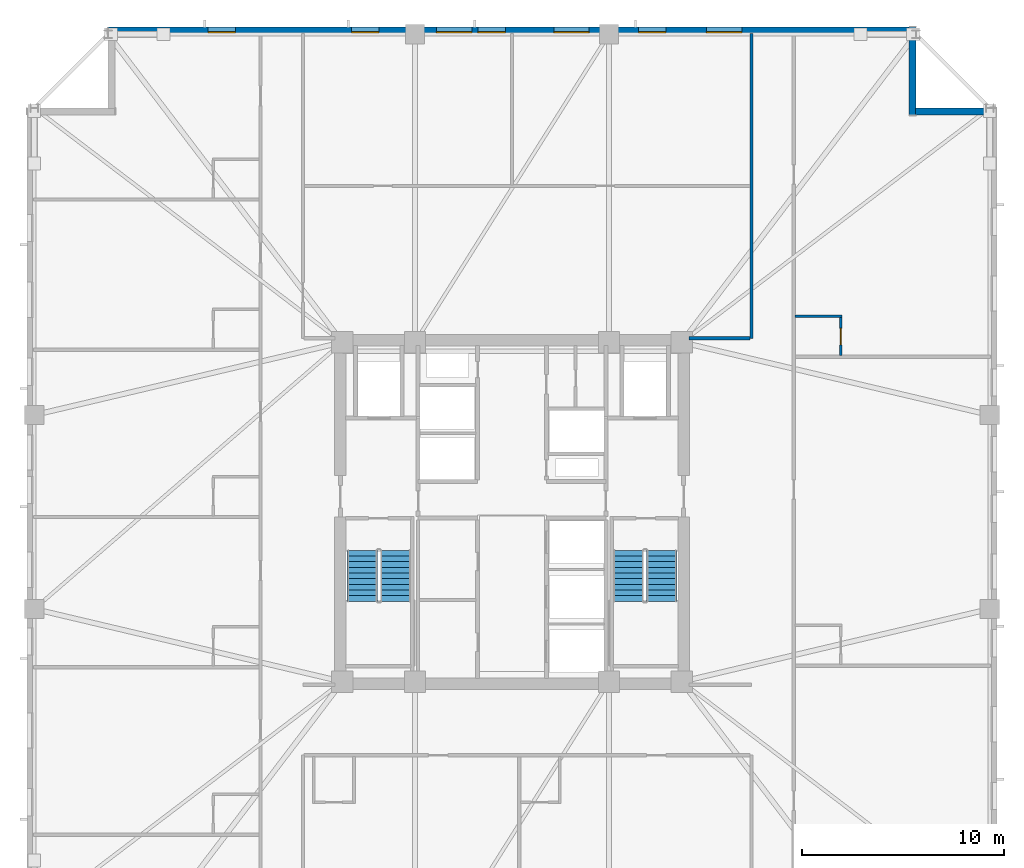
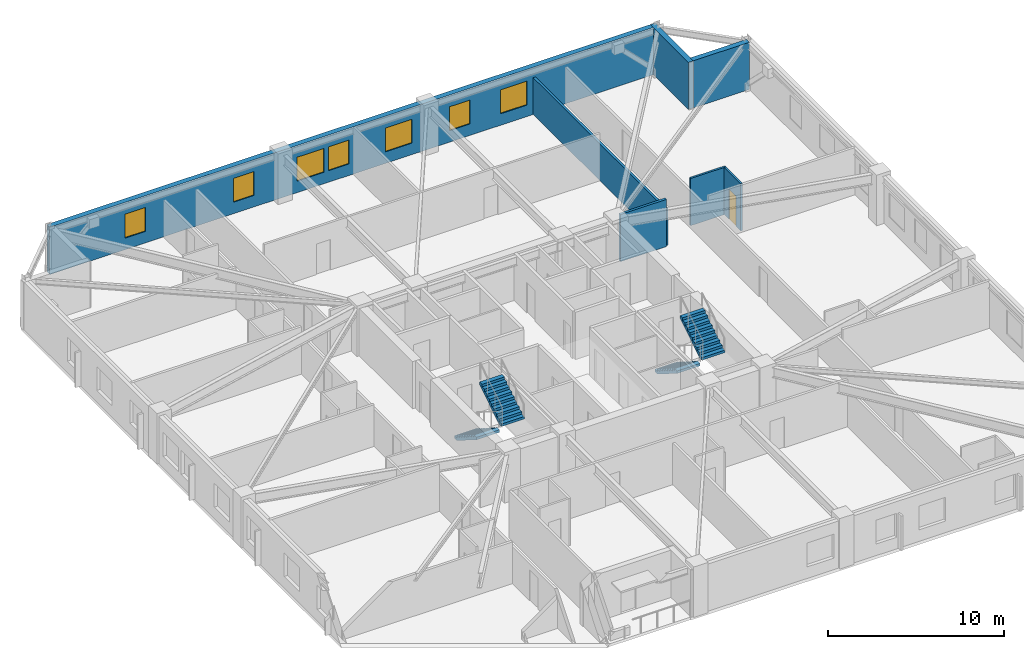
# One storey, part 6 of 11: 7 walls, 7 windows, 4 stair flights, 1 door, 8 openings, 2 elements without a shape of their own.
"""IFC4 building model written with IfcOpenShell, lengths in metres."""

from ifc_helpers import new_model, si_unit, direction, frame, frame_2d, origin, place, context, subcontext, project, spatial, polyline, rectangle, outline, extrude, material, layer, layer_set, type_object, element, fill, aggregate, save


model = new_model("IFC4")

# Units and contexts
model_context = context("Model", 3, precision=1e-05, world=origin(), true_north=direction((0.0, 1.0)))
body_context = subcontext(model_context, "Body", "Model", "MODEL_VIEW")
ifc_project = project(units=[si_unit("LENGTHUNIT", "METRE"), si_unit("AREAUNIT", "SQUARE_METRE"), si_unit("VOLUMEUNIT", "CUBIC_METRE"), si_unit("PLANEANGLEUNIT", "RADIAN"), si_unit("MASSUNIT", "GRAM", prefix="KILO")], contexts=[model_context])

# Site, building, storey
site_placement = place(None, origin())
site = spatial("IfcSite", under=ifc_project, at=site_placement, CompositionType="ELEMENT")
building_placement = place(site_placement, origin())
building = spatial("IfcBuilding", under=site, at=building_placement, Name="Cairnveth Concourse Tower", CompositionType="ELEMENT")
storey_placement = place(building_placement, frame((0.0, 0.0, 148.0)))
storey = spatial("IfcBuildingStorey", under=building, at=storey_placement, Name="L40", CompositionType="ELEMENT", Elevation=148.0)

# Walls
ifc_material_1 = material(Name="Gypsum Plasterboard Partition", Category="gypsum")
ifc_layer_1 = layer(ifc_material_1, 0.159912109375)
ifc_layer_set_1 = layer_set([ifc_layer_1], Name="Gypsum Plasterboard Partition")
wall_type_1 = type_object("IfcWallType", Name="ACOUSTIC PARTY WALL 180", PredefinedType="PARTITIONING", material=ifc_layer_set_1)
wall_1_placement = place(storey_placement, frame((63.85009765625, 47.60009765625, 0.0), z_axis=(0.0, 0.0, 1.0), x_axis=(0.0, 1.0, 0.0)))
element("IfcWall", 1, at=wall_1_placement, inside=storey, type_object=wall_type_1, Name="Interior Wall IW-L40-044", PredefinedType="PARTITIONING", context=body_context, shape_type="SweptSolid", body=[
    extrude(rectangle(XDim=15.074951171875, YDim=0.159912109375, at=frame_2d((7.53759765625, 0.0))), origin(), (0.0, 0.0, 1.0), 2.554931640625),
])
wall_2_placement = place(storey_placement, frame((60.764892578125, 47.60009765625, 0.0), z_axis=(0.0, 0.0, 1.0), x_axis=(1.0, 0.0, 0.0)))
element("IfcWall", 2, at=wall_2_placement, inside=storey, type_object=wall_type_1, Name="Interior Wall IW-L40-046", PredefinedType="PARTITIONING", context=body_context, shape_type="SweptSolid", body=[
    extrude(rectangle(XDim=3.02001953125, YDim=0.159912109375, at=frame_2d((1.510009765625, 0.0))), origin(), (0.0, 0.0, 1.0), 3.280029296875),
])
ifc_layer_2 = layer(ifc_material_1, 0.1298828125)
ifc_layer_set_2 = layer_set([ifc_layer_2], Name="Gypsum Plasterboard Partition")
wall_type_2 = type_object("IfcWallType", Name="WET AREA PARTITION 140", PredefinedType="PLUMBINGWALL", material=ifc_layer_set_2)
wall_3_placement = place(storey_placement, frame((66.014892578125, 48.6845703125, 0.0), z_axis=(0.0, 0.0, 1.0), x_axis=(1.0, 0.0, 0.0)))
element("IfcWall", 3, at=wall_3_placement, inside=storey, type_object=wall_type_2, Name="Interior Wall IW-L40-081", PredefinedType="PLUMBINGWALL", context=body_context, shape_type="SweptSolid", body=[
    extrude(rectangle(XDim=2.315185546875, YDim=0.1298828125, at=frame_2d((1.15771484375, 0.0))), origin(), (0.0, 0.0, 1.0), 3.280029296875),
])

# Wall, opening, door
wall_4_placement = place(storey_placement, frame((68.280029296875, 46.74951171875, 0.0), z_axis=(0.0, 0.0, 1.0), x_axis=(0.0, 1.0, 0.0)))
wall_4 = element("IfcWall", 4, at=wall_4_placement, inside=storey, type_object=wall_type_2, Name="Interior Wall IW-L40-082", PredefinedType="PLUMBINGWALL", context=body_context, shape_type="SweptSolid", body=[
    extrude(rectangle(XDim=1.885009765625, YDim=0.1298828125, at=frame_2d((0.9423828125, 0.0))), origin(), (0.0, 0.0, 1.0), 3.280029296875),
])
opening_1_placement = place(wall_4_placement, frame((0.52490234375, 0.0, 0.0)))
opening_1 = element("IfcOpeningElement", 5, at=opening_1_placement, cuts=wall_4, Name="Opening ID22", PredefinedType="OPENING", context=body_context, shape_type="SweptSolid", body=[
    extrude(rectangle(XDim=0.820068359375, YDim=2.10009765625, at=frame_2d((0.41015625, 1.050048828125))), frame((0.0, 0.074951171875, 0.0), z_axis=(0.0, -1.0, 0.0), x_axis=(1.0, 0.0, 0.0)), (0.0, 0.0, 1.0), 0.14990234375),
])
ifc_material_2 = material(Name="Solid Core Hardwood Timber Leaf", Category="wood")
door_type = type_object("IfcDoorType", Name="INTERIOR WC DOOR 820X2100", OperationType="NOTDEFINED", PredefinedType="DOOR", material=ifc_material_2)
door_placement = place(opening_1_placement, origin())
door = element("IfcDoor", 6, at=door_placement, inside=storey, type_object=door_type, Name="En-Suite Door L40-E3", OperationType="SINGLE_SWING_LEFT", OverallHeight=2.10009765625, OverallWidth=0.820068359375, PredefinedType="DOOR", context=body_context, shape_type="SweptSolid", body=[
    extrude(rectangle(XDim=0.820068359375, YDim=2.10009765625, at=frame_2d((0.41015625, 1.050048828125))), frame((0.0, 0.02490234375, 0.0), z_axis=(0.0, -1.0, 0.0), x_axis=(1.0, 0.0, 0.0)), (0.0, 0.0, 1.0), 0.050048828125),
])
fill(opening_1, door)

# Wall, openings, windows
ifc_material_3 = material(Name="Hawthorn Red-Ochre Fired Clay Brick Masonry", Category="masonry")
ifc_layer_3 = layer(ifc_material_3, 0.340087890625)
ifc_layer_set_3 = layer_set([ifc_layer_3], Name="Hawthorn Red-Ochre Fired Clay Brick Masonry")
wall_type_3 = type_object("IfcWallType", Name="ZONE 2 BRICK PIER SPANDREL WALL 340", PredefinedType="SOLIDWALL", material=ifc_layer_set_3)
wall_5_placement = place(storey_placement, frame((32.0, 62.830078125, 0.0), z_axis=(0.0, 0.0, 1.0), x_axis=(1.0, 0.0, 0.0)))
wall_5 = element("IfcWall", 7, at=wall_5_placement, inside=storey, type_object=wall_type_3, Name="Exterior Wall EW-L40-S06", PredefinedType="SOLIDWALL", context=body_context, shape_type="SweptSolid", body=[
    extrude(rectangle(XDim=39.681884765625, YDim=0.340087890625, at=frame_2d((19.8408203125, 0.0))), origin(), (0.0, 0.0, 1.0), 3.280029296875),
])
opening_2_placement = place(wall_5_placement, frame((4.951904296875, 0.0, 0.800048828125)))
opening_2 = element("IfcOpeningElement", 8, at=opening_2_placement, cuts=wall_5, Name="Opening W02", PredefinedType="OPENING", context=body_context, shape_type="SweptSolid", body=[
    extrude(rectangle(XDim=1.35009765625, YDim=1.659912109375, at=frame_2d((0.675048828125, 0.830078125))), frame((0.0, 0.179931640625, 0.0), z_axis=(0.0, -1.0, 0.0), x_axis=(1.0, 0.0, 0.0)), (0.0, 0.0, 1.0), 0.360107421875),
])
opening_3_placement = place(wall_5_placement, frame((12.058837890625, 0.0, 0.800048828125)))
opening_3 = element("IfcOpeningElement", 9, at=opening_3_placement, cuts=wall_5, Name="Opening W02", PredefinedType="OPENING", context=body_context, shape_type="SweptSolid", body=[
    extrude(rectangle(XDim=1.35009765625, YDim=1.659912109375, at=frame_2d((0.675048828125, 0.830078125))), frame((0.0, 0.179931640625, 0.0), z_axis=(0.0, -1.0, 0.0), x_axis=(1.0, 0.0, 0.0)), (0.0, 0.0, 1.0), 0.360107421875),
])
opening_4_placement = place(wall_5_placement, frame((16.262451171875, 0.0, 0.800048828125)))
opening_4 = element("IfcOpeningElement", 10, at=opening_4_placement, cuts=wall_5, Name="Opening W06", PredefinedType="OPENING", context=body_context, shape_type="SweptSolid", body=[
    extrude(rectangle(XDim=1.75, YDim=1.659912109375, at=frame_2d((0.875, 0.830078125))), frame((0.0, 0.179931640625, 0.0), z_axis=(0.0, -1.0, 0.0), x_axis=(1.0, 0.0, 0.0)), (0.0, 0.0, 1.0), 0.360107421875),
])
opening_5_placement = place(wall_5_placement, frame((18.31591796875, 0.0, 0.800048828125)))
opening_5 = element("IfcOpeningElement", 11, at=opening_5_placement, cuts=wall_5, Name="Opening W02", PredefinedType="OPENING", context=body_context, shape_type="SweptSolid", body=[
    extrude(rectangle(XDim=1.35009765625, YDim=1.659912109375, at=frame_2d((0.675048828125, 0.830078125))), frame((0.0, 0.179931640625, 0.0), z_axis=(0.0, -1.0, 0.0), x_axis=(1.0, 0.0, 0.0)), (0.0, 0.0, 1.0), 0.360107421875),
])
opening_6_placement = place(wall_5_placement, frame((22.069580078125, 0.0, 0.800048828125)))
opening_6 = element("IfcOpeningElement", 12, at=opening_6_placement, cuts=wall_5, Name="Opening W06", PredefinedType="OPENING", context=body_context, shape_type="SweptSolid", body=[
    extrude(rectangle(XDim=1.75, YDim=1.659912109375, at=frame_2d((0.875, 0.830078125))), frame((0.0, 0.179931640625, 0.0), z_axis=(0.0, -1.0, 0.0), x_axis=(1.0, 0.0, 0.0)), (0.0, 0.0, 1.0), 0.360107421875),
])
opening_7_placement = place(wall_5_placement, frame((26.273193359375, 0.0, 0.800048828125)))
opening_7 = element("IfcOpeningElement", 13, at=opening_7_placement, cuts=wall_5, Name="Opening W02", PredefinedType="OPENING", context=body_context, shape_type="SweptSolid", body=[
    extrude(rectangle(XDim=1.35009765625, YDim=1.659912109375, at=frame_2d((0.675048828125, 0.830078125))), frame((0.0, 0.179931640625, 0.0), z_axis=(0.0, -1.0, 0.0), x_axis=(1.0, 0.0, 0.0)), (0.0, 0.0, 1.0), 0.360107421875),
])
opening_8_placement = place(wall_5_placement, frame((29.626708984375, 0.0, 0.800048828125)))
opening_8 = element("IfcOpeningElement", 14, at=opening_8_placement, cuts=wall_5, Name="Opening W06", PredefinedType="OPENING", context=body_context, shape_type="SweptSolid", body=[
    extrude(rectangle(XDim=1.75, YDim=1.659912109375, at=frame_2d((0.875, 0.830078125))), frame((0.0, 0.179931640625, 0.0), z_axis=(0.0, -1.0, 0.0), x_axis=(1.0, 0.0, 0.0)), (0.0, 0.0, 1.0), 0.360107421875),
])
ifc_material_4 = material(Name="Double Glazed Low-E Clear Glass", Category="glass")
window_type_1 = type_object("IfcWindowType", Name="DEEP-SET GOTHIC LANCET WINDOW 1350X1800", PartitioningType="DOUBLE_PANEL_VERTICAL", PredefinedType="WINDOW", material=ifc_material_4)
window_1_placement = place(opening_2_placement, origin())
window_1 = element("IfcWindow", 15, at=window_1_placement, inside=storey, type_object=window_type_1, Name="Gothic Lancet Window L40-6-1", OverallHeight=1.659912109375, OverallWidth=1.35009765625, PartitioningType="SINGLE_PANEL", PredefinedType="WINDOW", context=body_context, shape_type="SweptSolid", body=[
    extrude(rectangle(XDim=1.35009765625, YDim=1.659912109375, at=frame_2d((0.675048828125, 0.830078125))), frame((0.0, -0.050048828125, 0.0), z_axis=(0.0, -1.0, 0.0), x_axis=(1.0, 0.0, 0.0)), (0.0, 0.0, 1.0), 0.06005859375),
])
fill(opening_2, window_1)
window_2_placement = place(opening_3_placement, origin())
window_2 = element("IfcWindow", 16, at=window_2_placement, inside=storey, type_object=window_type_1, Name="Gothic Lancet Window L40-6-3", OverallHeight=1.659912109375, OverallWidth=1.35009765625, PartitioningType="SINGLE_PANEL", PredefinedType="WINDOW", context=body_context, shape_type="SweptSolid", body=[
    extrude(rectangle(XDim=1.35009765625, YDim=1.659912109375, at=frame_2d((0.675048828125, 0.830078125))), frame((0.0, -0.050048828125, 0.0), z_axis=(0.0, -1.0, 0.0), x_axis=(1.0, 0.0, 0.0)), (0.0, 0.0, 1.0), 0.06005859375),
])
fill(opening_3, window_2)
window_3_placement = place(opening_5_placement, origin())
window_3 = element("IfcWindow", 17, at=window_3_placement, inside=storey, type_object=window_type_1, Name="Gothic Lancet Window L40-6-5", OverallHeight=1.659912109375, OverallWidth=1.35009765625, PartitioningType="SINGLE_PANEL", PredefinedType="WINDOW", context=body_context, shape_type="SweptSolid", body=[
    extrude(rectangle(XDim=1.35009765625, YDim=1.659912109375, at=frame_2d((0.675048828125, 0.830078125))), frame((0.0, -0.050048828125, 0.0), z_axis=(0.0, -1.0, 0.0), x_axis=(1.0, 0.0, 0.0)), (0.0, 0.0, 1.0), 0.06005859375),
])
fill(opening_5, window_3)
window_4_placement = place(opening_7_placement, origin())
window_4 = element("IfcWindow", 18, at=window_4_placement, inside=storey, type_object=window_type_1, Name="Gothic Lancet Window L40-6-7", OverallHeight=1.659912109375, OverallWidth=1.35009765625, PartitioningType="SINGLE_PANEL", PredefinedType="WINDOW", context=body_context, shape_type="SweptSolid", body=[
    extrude(rectangle(XDim=1.35009765625, YDim=1.659912109375, at=frame_2d((0.675048828125, 0.830078125))), frame((0.0, -0.050048828125, 0.0), z_axis=(0.0, -1.0, 0.0), x_axis=(1.0, 0.0, 0.0)), (0.0, 0.0, 1.0), 0.06005859375),
])
fill(opening_7, window_4)
window_type_2 = type_object("IfcWindowType", Name="DEEP-SET HOTEL SUITE WINDOW 1750X1800", PartitioningType="DOUBLE_PANEL_VERTICAL", PredefinedType="WINDOW", material=ifc_material_4)
window_5_placement = place(opening_4_placement, origin())
window_5 = element("IfcWindow", 19, at=window_5_placement, inside=storey, type_object=window_type_2, Name="Gothic Lancet Window L40-6-4", OverallHeight=1.659912109375, OverallWidth=1.75, PartitioningType="SINGLE_PANEL", PredefinedType="WINDOW", context=body_context, shape_type="SweptSolid", body=[
    extrude(rectangle(XDim=1.75, YDim=1.659912109375, at=frame_2d((0.875, 0.830078125))), frame((0.0, -0.050048828125, 0.0), z_axis=(0.0, -1.0, 0.0), x_axis=(1.0, 0.0, 0.0)), (0.0, 0.0, 1.0), 0.06005859375),
])
fill(opening_4, window_5)
window_6_placement = place(opening_6_placement, origin())
window_6 = element("IfcWindow", 20, at=window_6_placement, inside=storey, type_object=window_type_2, Name="Gothic Lancet Window L40-6-6", OverallHeight=1.659912109375, OverallWidth=1.75, PartitioningType="SINGLE_PANEL", PredefinedType="WINDOW", context=body_context, shape_type="SweptSolid", body=[
    extrude(rectangle(XDim=1.75, YDim=1.659912109375, at=frame_2d((0.875, 0.830078125))), frame((0.0, -0.050048828125, 0.0), z_axis=(0.0, -1.0, 0.0), x_axis=(1.0, 0.0, 0.0)), (0.0, 0.0, 1.0), 0.06005859375),
])
fill(opening_6, window_6)
window_7_placement = place(opening_8_placement, origin())
window_7 = element("IfcWindow", 21, at=window_7_placement, inside=storey, type_object=window_type_2, Name="Gothic Lancet Window L40-6-8", OverallHeight=1.659912109375, OverallWidth=1.75, PartitioningType="SINGLE_PANEL", PredefinedType="WINDOW", context=body_context, shape_type="SweptSolid", body=[
    extrude(rectangle(XDim=1.75, YDim=1.659912109375, at=frame_2d((0.875, 0.830078125))), frame((0.0, -0.050048828125, 0.0), z_axis=(0.0, -1.0, 0.0), x_axis=(1.0, 0.0, 0.0)), (0.0, 0.0, 1.0), 0.06005859375),
])
fill(opening_8, window_7)

# Walls
wall_6_placement = place(storey_placement, frame((71.830078125, 63.0, 0.0), z_axis=(0.0, 0.0, 1.0), x_axis=(0.0, -1.0, 0.0)))
element("IfcWall", 22, at=wall_6_placement, inside=storey, type_object=wall_type_3, Name="Exterior Wall EW-L40-S07", PredefinedType="SOLIDWALL", context=body_context, shape_type="SweptSolid", body=[
    extrude(rectangle(XDim=4.340087890625, YDim=0.340087890625, at=frame_2d((2.169921875, 0.0))), origin(), (0.0, 0.0, 1.0), 3.280029296875),
])
wall_7_placement = place(storey_placement, frame((71.97802734375, 58.830078125, 0.0), z_axis=(0.0, 0.0, 1.0), x_axis=(1.0, 0.0, 0.0)))
element("IfcWall", 23, at=wall_7_placement, inside=storey, type_object=wall_type_3, Name="Exterior Wall EW-L40-S08", PredefinedType="SOLIDWALL", context=body_context, shape_type="SweptSolid", body=[
    extrude(rectangle(XDim=3.703857421875, YDim=0.340087890625, at=frame_2d((1.85205078125, 0.0))), origin(), (0.0, 0.0, 1.0), 3.280029296875),
])

# Stair, stair flights
ifc_material_5 = material(Name="Precast concrete N50 (50 MPa)", Category="concrete")
stair_type = type_object("IfcStairType", Name="CORE DOG-LEG FIRE STAIR 1500", PredefinedType="HALF_TURN_STAIR", material=ifc_material_5)
stair_1_placement = place(storey_placement, origin())
stair_1 = element("IfcStair", 24, at=stair_1_placement, inside=storey, type_object=stair_type, Name="L40 Fire-Isolated Stair ST-1", PredefinedType="HALF_TURN_STAIR")
stair_flight_type = type_object("IfcStairFlightType", Name="PRECAST CONCRETE STAIR FLIGHT 1500", PredefinedType="STRAIGHT", material=ifc_material_5)
stair_flight_1_placement = place(storey_placement, frame((44.590087890625, 37.10009765625, 0.0), z_axis=(0.0, 0.0, 1.0), x_axis=(0.0, -1.0, 0.0)))
stair_flight_1 = element("IfcStairFlight", 25, at=stair_flight_1_placement, type_object=stair_flight_type, Name="ST-1 flight 1", NumberOfRisers=10, NumberOfTreads=9, PredefinedType="STRAIGHT", RiserHeight=0.175, TreadLength=0.28, context=body_context, shape_type="SweptSolid", body=[
    extrude(outline(polyline([(0.0, 0.0), (0.0, 0.175048828125), (0.280029296875, 0.175048828125), (0.280029296875, 0.35009765625), (0.56005859375, 0.35009765625), (0.56005859375, 0.52490234375), (0.840087890625, 0.52490234375), (0.840087890625, 0.699951171875), (1.1201171875, 0.699951171875), (1.1201171875, 0.875), (1.39990234375, 0.875), (1.39990234375, 1.050048828125), (1.679931640625, 1.050048828125), (1.679931640625, 1.22509765625), (1.9599609375, 1.22509765625), (1.9599609375, 1.39990234375), (2.239990234375, 1.39990234375), (2.239990234375, 1.574951171875), (2.52001953125, 1.574951171875), (2.52001953125, 1.75), (2.52001953125, 1.398193359375), (0.28271484375, 0.0), (0.0, 0.0)])), frame((0.0, 0.75, 0.0), z_axis=(0.0, -1.0, 0.0), x_axis=(1.0, 0.0, 0.0)), (0.0, 0.0, 1.0), 1.5),
])
stair_flight_2_placement = place(storey_placement, frame((46.22998046875, 34.580078125, 1.75), z_axis=(0.0, 0.0, 1.0), x_axis=(0.0, 1.0, 0.0)))
stair_flight_2 = element("IfcStairFlight", 26, at=stair_flight_2_placement, type_object=stair_flight_type, Name="ST-1 flight 2", NumberOfRisers=10, NumberOfTreads=9, PredefinedType="STRAIGHT", RiserHeight=0.175, TreadLength=0.28, context=body_context, shape_type="SweptSolid", body=[
    extrude(outline(polyline([(0.0, 0.0), (0.0, 0.175048828125), (0.280029296875, 0.175048828125), (0.280029296875, 0.35009765625), (0.56005859375, 0.35009765625), (0.56005859375, 0.52490234375), (0.840087890625, 0.52490234375), (0.840087890625, 0.699951171875), (1.1201171875, 0.699951171875), (1.1201171875, 0.875), (1.39990234375, 0.875), (1.39990234375, 1.050048828125), (1.679931640625, 1.050048828125), (1.679931640625, 1.22509765625), (1.9599609375, 1.22509765625), (1.9599609375, 1.39990234375), (2.239990234375, 1.39990234375), (2.239990234375, 1.574951171875), (2.52001953125, 1.574951171875), (2.52001953125, 1.75), (2.52001953125, 1.398193359375), (0.28271484375, 0.0), (0.0, 0.0)])), frame((0.0, 0.75, 0.0), z_axis=(0.0, -1.0, 0.0), x_axis=(1.0, 0.0, 0.0)), (0.0, 0.0, 1.0), 1.5),
])
aggregate(stair_1, [stair_flight_1, stair_flight_2])

stair_2_placement = place(storey_placement, origin())
stair_2 = element("IfcStair", 27, at=stair_2_placement, inside=storey, type_object=stair_type, Name="L40 Fire-Isolated Stair ST-2", PredefinedType="HALF_TURN_STAIR")
stair_flight_3_placement = place(storey_placement, frame((57.77001953125, 37.10009765625, 0.0), z_axis=(0.0, 0.0, 1.0), x_axis=(0.0, -1.0, 0.0)))
stair_flight_3 = element("IfcStairFlight", 28, at=stair_flight_3_placement, type_object=stair_flight_type, Name="ST-2 flight 1", NumberOfRisers=10, NumberOfTreads=9, PredefinedType="STRAIGHT", RiserHeight=0.175, TreadLength=0.28, context=body_context, shape_type="SweptSolid", body=[
    extrude(outline(polyline([(0.0, 0.0), (0.0, 0.175048828125), (0.280029296875, 0.175048828125), (0.280029296875, 0.35009765625), (0.56005859375, 0.35009765625), (0.56005859375, 0.52490234375), (0.840087890625, 0.52490234375), (0.840087890625, 0.699951171875), (1.1201171875, 0.699951171875), (1.1201171875, 0.875), (1.39990234375, 0.875), (1.39990234375, 1.050048828125), (1.679931640625, 1.050048828125), (1.679931640625, 1.22509765625), (1.9599609375, 1.22509765625), (1.9599609375, 1.39990234375), (2.239990234375, 1.39990234375), (2.239990234375, 1.574951171875), (2.52001953125, 1.574951171875), (2.52001953125, 1.75), (2.52001953125, 1.398193359375), (0.28271484375, 0.0), (0.0, 0.0)])), frame((0.0, 0.75, 0.0), z_axis=(0.0, -1.0, 0.0), x_axis=(1.0, 0.0, 0.0)), (0.0, 0.0, 1.0), 1.5),
])
stair_flight_4_placement = place(storey_placement, frame((59.409912109375, 34.580078125, 1.75), z_axis=(0.0, 0.0, 1.0), x_axis=(0.0, 1.0, 0.0)))
stair_flight_4 = element("IfcStairFlight", 29, at=stair_flight_4_placement, type_object=stair_flight_type, Name="ST-2 flight 2", NumberOfRisers=10, NumberOfTreads=9, PredefinedType="STRAIGHT", RiserHeight=0.175, TreadLength=0.28, context=body_context, shape_type="SweptSolid", body=[
    extrude(outline(polyline([(0.0, 0.0), (0.0, 0.175048828125), (0.280029296875, 0.175048828125), (0.280029296875, 0.35009765625), (0.56005859375, 0.35009765625), (0.56005859375, 0.52490234375), (0.840087890625, 0.52490234375), (0.840087890625, 0.699951171875), (1.1201171875, 0.699951171875), (1.1201171875, 0.875), (1.39990234375, 0.875), (1.39990234375, 1.050048828125), (1.679931640625, 1.050048828125), (1.679931640625, 1.22509765625), (1.9599609375, 1.22509765625), (1.9599609375, 1.39990234375), (2.239990234375, 1.39990234375), (2.239990234375, 1.574951171875), (2.52001953125, 1.574951171875), (2.52001953125, 1.75), (2.52001953125, 1.398193359375), (0.28271484375, 0.0), (0.0, 0.0)])), frame((0.0, 0.75, 0.0), z_axis=(0.0, -1.0, 0.0), x_axis=(1.0, 0.0, 0.0)), (0.0, 0.0, 1.0), 1.5),
])
aggregate(stair_2, [stair_flight_3, stair_flight_4])

save(model, "model.ifc")
